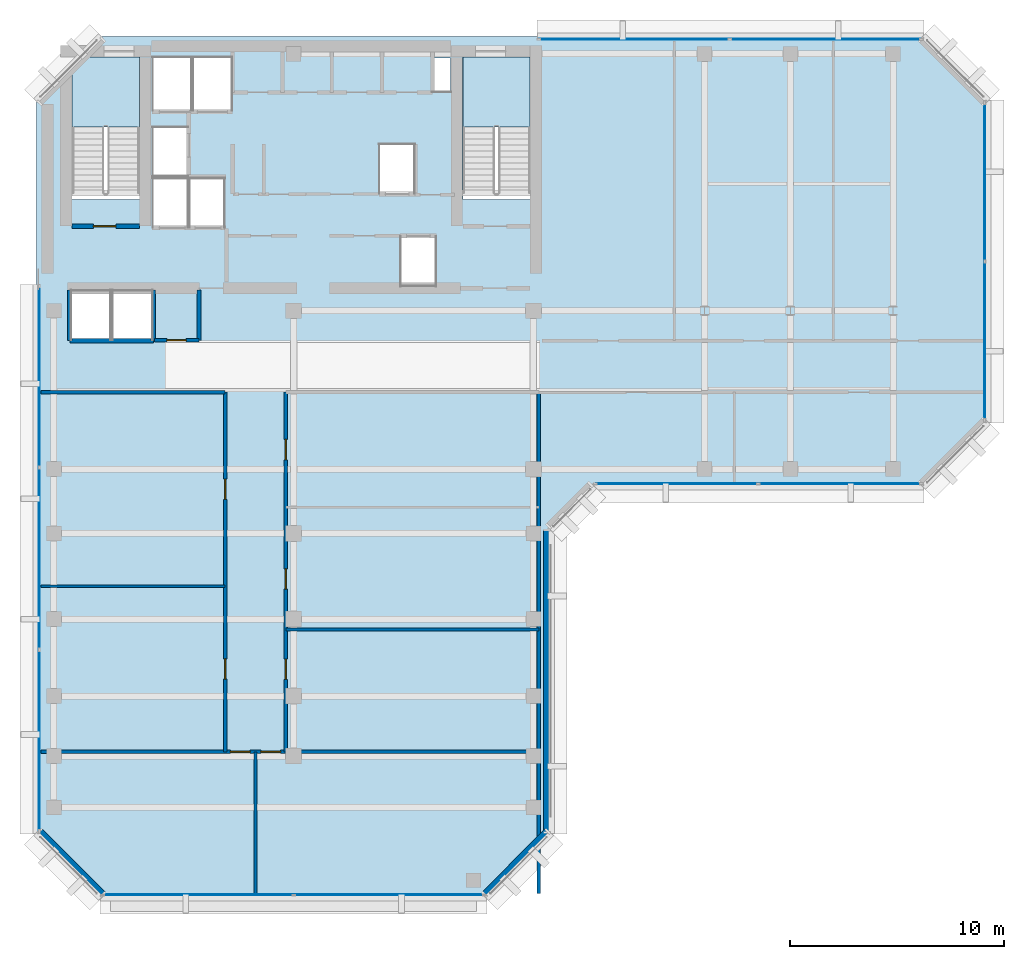
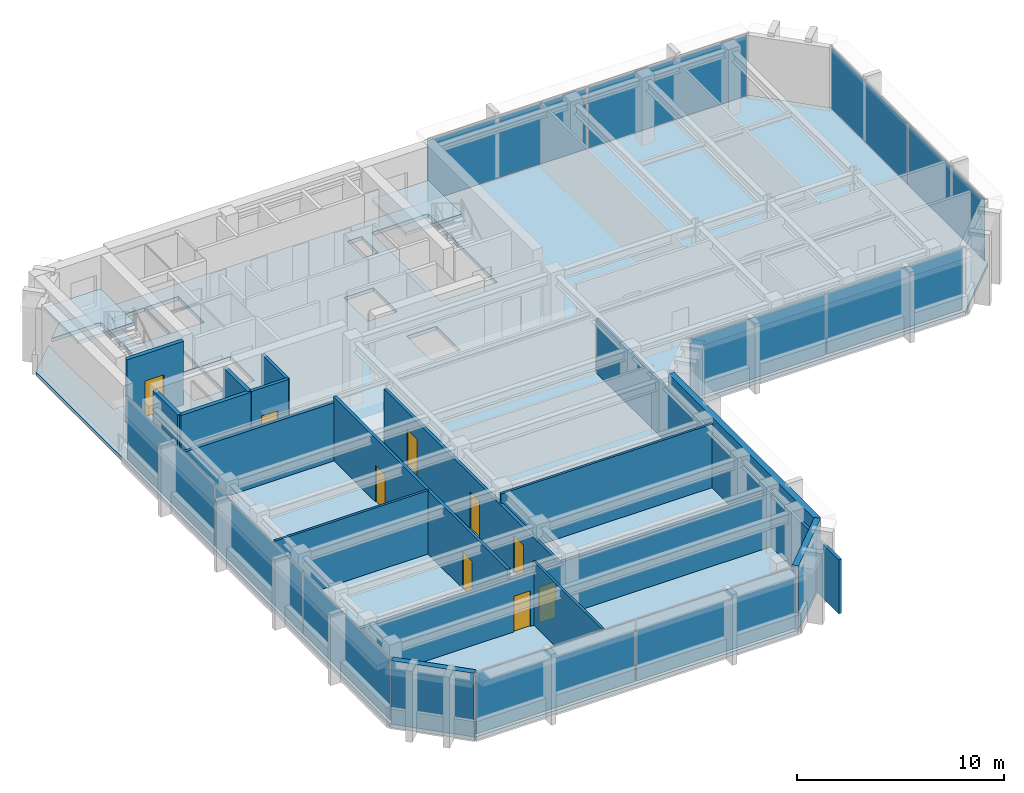
# One storey, part 6 of 11: 17 walls, 11 plates, 9 doors, 3 slabs, 9 openings, 7 elements without a shape of their own.
"""IFC4 building model written with IfcOpenShell, lengths in metres."""

import ifcopenshell
import ifcopenshell.guid

model = None  # the IFC model being written
_history = None  # IfcOwnerHistory: only IFC2X3 demands one
_inside = {}  # id of a spatial element -> (the spatial element, [elements in it])
_under = {}  # id of a project, library or spatial element -> (it, [spatial elements below it])
_declared = {}  # id of a project -> (the project, [libraries it declares])
_typed = {}  # id of a type object -> (the type object, [elements of that type])
_made_of = {}  # id of a material, layer set ... -> (it, [elements and type objects made of it])


def new_model(schema):
    """Start an empty IFC model of exactly this schema.

    Asked for "IFC4X3", IfcOpenShell would pick the latest addendum, in which some entities
    have other attributes; the version numbers below select the first issue.
    IFC2X3 requires an IfcOwnerHistory on every rooted entity: one is made here for all.
    """
    global model, _history
    if schema == "IFC4X3":
        model = ifcopenshell.file(schema_version=(4, 3, 0, 0))
    else:
        model = ifcopenshell.file(schema=schema)
    _inside.clear()
    _under.clear()
    _declared.clear()
    _typed.clear()
    _made_of.clear()
    _history = None
    if model.schema == "IFC2X3":
        org = make("IfcOrganization", Name="unknown")
        user = make(
            "IfcPersonAndOrganization",
            ThePerson=make("IfcPerson", FamilyName="unknown"),
            TheOrganization=org,
        )
        app = make(
            "IfcApplication",
            ApplicationDeveloper=org,
            Version="unknown",
            ApplicationFullName="unknown",
            ApplicationIdentifier="unknown",
        )
        _history = make(
            "IfcOwnerHistory",
            OwningUser=user,
            OwningApplication=app,
            ChangeAction="ADDED",
            CreationDate=0,
        )
    return model


def make(cls, **values):
    """One entity of the class cls with the attributes given. An attribute that is None is left unset."""
    return model.create_entity(
        cls, **{name: value for name, value in values.items() if value is not None}
    )


def rooted(cls, **values):
    """An entity with a GlobalId (a new one), such as an element, a storey or a relation."""
    return make(cls, GlobalId=ifcopenshell.guid.new(), OwnerHistory=_history, **values)


def si_unit(unit_type, name, prefix=None):
    """IfcSIUnit, for example si_unit("LENGTHUNIT", "METRE", prefix="MILLI")."""
    return make("IfcSIUnit", UnitType=unit_type, Prefix=prefix, Name=name)


def assignment(units):
    """IfcUnitAssignment: the units of a project."""
    return None if units is None else make("IfcUnitAssignment", Units=units)


def point(xyz):
    """IfcCartesianPoint."""
    return None if xyz is None else make("IfcCartesianPoint", Coordinates=xyz)


def direction(xyz):
    """IfcDirection."""
    return None if xyz is None else make("IfcDirection", DirectionRatios=xyz)


def frame(location, z_axis=None, x_axis=None):
    """IfcAxis2Placement3D, a coordinate frame: its origin and axes. An axis left out is left unset."""
    return make(
        "IfcAxis2Placement3D",
        Location=point(location),
        Axis=direction(z_axis),
        RefDirection=direction(x_axis),
    )


def frame_2d(location, x_axis=None):
    """IfcAxis2Placement2D, a coordinate frame in the plane: its origin and x axis."""
    return make(
        "IfcAxis2Placement2D", Location=point(location), RefDirection=direction(x_axis)
    )


def origin():
    """The frame at (0, 0, 0) with its axes left unset."""
    return frame((0.0, 0.0, 0.0))


def origin_2d():
    """The frame at (0, 0) in the plane with its x axis left unset."""
    return frame_2d((0.0, 0.0))


def place(relative_to, where):
    """IfcLocalPlacement: puts the frame where relative to a parent placement (None: the world)."""
    return make(
        "IfcLocalPlacement", PlacementRelTo=relative_to, RelativePlacement=where
    )


def context(
    kind, dimensions, precision=None, world=None, true_north=None, identifier=None
):
    """IfcGeometricRepresentationContext, for example the 3D "Model" context."""
    return make(
        "IfcGeometricRepresentationContext",
        ContextIdentifier=identifier,
        ContextType=kind,
        CoordinateSpaceDimension=dimensions,
        Precision=precision,
        WorldCoordinateSystem=world,
        TrueNorth=true_north,
    )


def subcontext(parent, identifier, kind, view, scale=None):
    """IfcGeometricRepresentationSubContext, for example "Body" below "Model"."""
    return make(
        "IfcGeometricRepresentationSubContext",
        ContextIdentifier=identifier,
        ContextType=kind,
        ParentContext=parent,
        TargetScale=scale,
        TargetView=view,
    )


def project(units=None, contexts=None):
    """IfcProject with its units and contexts."""
    return rooted(
        "IfcProject",
        Name="project",
        RepresentationContexts=contexts,
        UnitsInContext=assignment(units),
    )


def spatial(cls, under=None, at=None, **own):
    """A site, building, storey or space (cls), placed at a placement, below another one or the project."""
    s = rooted(cls, ObjectPlacement=at, **own)
    if under is not None:
        _under.setdefault(under.id(), (under, []))[1].append(s)
    return s


def polyline(points):
    """IfcPolyline through the points."""
    return make("IfcPolyline", Points=[point(p) for p in points])


def profile(cls, at=None, kind="AREA", **sizes):
    """A parametric profile (cls). Its sizes go by their IFC names, for example OverallWidth=200.0."""
    return make(cls, ProfileType=kind, Position=at, **sizes)


def rectangle(**sizes):
    """IfcRectangleProfileDef."""
    return profile("IfcRectangleProfileDef", **sizes)


def outline(outer, holes=None, kind="AREA"):
    """IfcArbitraryClosedProfileDef: a profile drawn as a closed curve; with holes, ...WithVoids."""
    if holes is None:
        return make("IfcArbitraryClosedProfileDef", ProfileType=kind, OuterCurve=outer)
    return make(
        "IfcArbitraryProfileDefWithVoids",
        ProfileType=kind,
        OuterCurve=outer,
        InnerCurves=holes,
    )


def extrude(swept, where, along, depth):
    """IfcExtrudedAreaSolid: the profile swept, set in the frame where, extruded along a direction by depth."""
    return make(
        "IfcExtrudedAreaSolid",
        SweptArea=swept,
        Position=where,
        ExtrudedDirection=direction(along),
        Depth=depth,
    )


def shape(context_of_items, identifier, shape_type, items):
    """IfcShapeRepresentation: the items that make up one representation, for example the "Body"."""
    return make(
        "IfcShapeRepresentation",
        ContextOfItems=context_of_items,
        RepresentationIdentifier=identifier,
        RepresentationType=shape_type,
        Items=items,
    )


def material(Name=None, Category=None):
    """IfcMaterial."""
    return make("IfcMaterial", Name=Name, Category=Category)


def layer(
    of_material, thickness, ventilated=None, Name=None, Category=None, Priority=None
):
    """IfcMaterialLayer: one layer of a wall or slab, of a material (None: an air gap)."""
    return make(
        "IfcMaterialLayer",
        Material=of_material,
        LayerThickness=thickness,
        IsVentilated=ventilated,
        Name=Name,
        Category=Category,
        Priority=Priority,
    )


def layer_set(layers, Name=None):
    """IfcMaterialLayerSet."""
    return make("IfcMaterialLayerSet", MaterialLayers=layers, LayerSetName=Name)


def made_of(thing, what):
    """Note that an element or type object is made of a material, layer set ...; save() writes the relation."""
    if what is not None:
        _made_of.setdefault(what.id(), (what, []))[1].append(thing)
    return thing


def type_object(cls, material=None, **own):
    """A type object (cls), such as IfcWallType, which elements share."""
    return made_of(rooted(cls, **own), material)


def element(
    cls,
    number,
    at=None,
    inside=None,
    cuts=None,
    type_object=None,
    material=None,
    context=None,
    identifier="Body",
    shape_type=None,
    held_by="IfcProductDefinitionShape",
    body=None,
    shapes=None,
    **own,
):
    """One element of the class cls, such as IfcWall. Its Tag is "e" and its number.

    at: its placement. inside: the storey or other place that contains it. cuts: it is an
    opening in that element (IfcRelVoidsElement). A single representation is given by context,
    identifier, shape_type and body (its items); several are given by shapes. held_by: the class
    of the entity that holds the representations. save() writes the other relations.
    """
    e = rooted(cls, Tag="e%d" % number, ObjectPlacement=at, **own)
    if body is not None:
        shapes = [shape(context, identifier, shape_type, body)]
    if shapes is not None:
        e.Representation = make(held_by, Representations=shapes)
    if inside is not None:
        _inside.setdefault(inside.id(), (inside, []))[1].append(e)
    if cuts is not None:
        rooted(
            "IfcRelVoidsElement", RelatingBuildingElement=cuts, RelatedOpeningElement=e
        )
    if type_object is not None:
        _typed.setdefault(type_object.id(), (type_object, []))[1].append(e)
    return made_of(e, material)


def fill(opening, filler):
    """IfcRelFillsElement: the door or window that sits in an opening."""
    return rooted(
        "IfcRelFillsElement",
        RelatingOpeningElement=opening,
        RelatedBuildingElement=filler,
    )


def aggregate(whole, parts):
    """IfcRelAggregates: a whole, such as a stair, and the parts it consists of."""
    return rooted("IfcRelAggregates", RelatingObject=whole, RelatedObjects=parts)


def save(model, path):
    """Write the relations noted so far, then the file.

    IfcRelAggregates (storeys below a building ...), IfcRelContainedInSpatialStructure (elements
    in a storey), IfcRelDefinesByType, IfcRelAssociatesMaterial and IfcRelDeclares: one each for
    every whole, place, type object, material and project.
    """
    for whole, parts in _under.values():
        aggregate(whole, parts)
    for where, things in _inside.values():
        rooted(
            "IfcRelContainedInSpatialStructure",
            RelatedElements=things,
            RelatingStructure=where,
        )
    for kind, things in _typed.values():
        rooted("IfcRelDefinesByType", RelatedObjects=things, RelatingType=kind)
    for what, things in _made_of.values():
        rooted("IfcRelAssociatesMaterial", RelatedObjects=things, RelatingMaterial=what)
    for by, libraries in _declared.values():
        rooted("IfcRelDeclares", RelatingContext=by, RelatedDefinitions=libraries)
    model.write(path)


model = new_model("IFC4")

# Units and contexts
model_context = context("Model", 3, precision=1e-05, world=origin(), true_north=direction((0.0, 1.0)))
body_context = subcontext(model_context, "Body", "Model", "MODEL_VIEW")
ifc_project = project(units=[si_unit("LENGTHUNIT", "METRE"), si_unit("AREAUNIT", "SQUARE_METRE"), si_unit("VOLUMEUNIT", "CUBIC_METRE"), si_unit("PLANEANGLEUNIT", "RADIAN"), si_unit("MASSUNIT", "GRAM", prefix="KILO")], contexts=[model_context])

# Site, building, storey
site_placement = place(None, origin())
site = spatial("IfcSite", under=ifc_project, at=site_placement, CompositionType="ELEMENT")
building_placement = place(site_placement, origin())
building = spatial("IfcBuilding", under=site, at=building_placement, Name="Kefirva Bronze Tower", CompositionType="ELEMENT")
storey_placement = place(building_placement, frame((0.0, 0.0, 303.929931640625)))
storey = spatial("IfcBuildingStorey", under=building, at=storey_placement, Name="L74", CompositionType="ELEMENT", Elevation=303.929931640625)

# Stair, slab
ifc_material_1 = material(Name="Concrete C40/50", Category="concrete")
stair_type = type_object("IfcStairType", Name="RC Dogleg Protected Stair 24R", PredefinedType="HALF_TURN_STAIR", material=ifc_material_1)
stair_1_placement = place(storey_placement, origin())
stair_1 = element("IfcStair", 1, at=stair_1_placement, inside=storey, type_object=stair_type, Name="L74 Protected Exit Stair 1", PredefinedType="HALF_TURN_STAIR")
ifc_layer_1 = layer(ifc_material_1, 0.199951171875, Name="Concrete C40/50")
ifc_layer_set_1 = layer_set([ifc_layer_1], Name="Concrete C40/50")
slab_type_1 = type_object("IfcSlabType", Name="RC Stair Landing Slab 200mm", PredefinedType="LANDING", material=ifc_layer_set_1)
slab_1_placement = place(storey_placement, frame((0.0, 0.0, 1.780029296875)))
slab_1 = element("IfcSlab", 2, at=slab_1_placement, type_object=slab_type_1, Name="ST-1 landing 1", PredefinedType="LANDING", context=body_context, shape_type="SweptSolid", body=[
    extrude(outline(polyline([(4.800048828125, 41.780029296875), (4.800048828125, 45.050048828125), (1.64990234375, 45.050048828125), (1.64990234375, 41.780029296875), (4.800048828125, 41.780029296875)])), origin(), (0.0, 0.0, 1.0), 0.199951171875),
])
aggregate(stair_1, [slab_1])

stair_2_placement = place(storey_placement, origin())
stair_2 = element("IfcStair", 3, at=stair_2_placement, inside=storey, type_object=stair_type, Name="L74 Protected Exit Stair 2", PredefinedType="HALF_TURN_STAIR")
slab_2_placement = place(storey_placement, frame((0.0, 0.0, 1.780029296875)))
slab_2 = element("IfcSlab", 4, at=slab_2_placement, type_object=slab_type_1, Name="ST-2 landing 1", PredefinedType="LANDING", context=body_context, shape_type="SweptSolid", body=[
    extrude(outline(polyline([(23.050048828125, 41.780029296875), (23.050048828125, 45.050048828125), (19.89990234375, 45.050048828125), (19.89990234375, 41.780029296875), (23.050048828125, 41.780029296875)])), origin(), (0.0, 0.0, 1.0), 0.199951171875),
])
aggregate(stair_2, [slab_2])

# Slab
ifc_layer_2 = layer(ifc_material_1, 0.219970703125, Name="Concrete C40/50")
ifc_layer_set_2 = layer_set([ifc_layer_2], Name="Concrete C40/50")
slab_type_2 = type_object("IfcSlabType", Name="RC Upper Floor Slab 220mm", PredefinedType="FLOOR", material=ifc_layer_set_2)
slab_3_placement = place(storey_placement, frame((0.0, 0.0, -0.219970703125)))
element("IfcSlab", 5, at=slab_3_placement, inside=storey, type_object=slab_type_2, Name="L74 Structural Floor Slab", PredefinedType="FLOOR", context=body_context, shape_type="SweptSolid", body=[
    extrude(outline(polyline([(0.0, 8.800048828125), (0.0, 43.0), (1.64990234375, 44.64990234375), (1.64990234375, 38.39990234375), (4.800048828125, 38.39990234375), (4.800048828125, 45.050048828125), (2.050048828125, 45.050048828125), (3.0, 46.0), (41.39990234375, 46.0), (44.39990234375, 43.0), (44.39990234375, 28.0), (41.39990234375, 25.0), (26.0, 25.0), (24.0, 23.0), (24.0, 8.800048828125), (21.0, 5.800048828125), (3.0, 5.800048828125), (0.0, 8.800048828125)]), holes=[polyline([(23.050048828125, 45.050048828125), (19.89990234375, 45.050048828125), (19.89990234375, 38.39990234375), (23.050048828125, 38.39990234375), (23.050048828125, 45.050048828125)]), polyline([(19.320068359375, 43.419921875), (19.320068359375, 45.0), (18.52001953125, 45.0), (18.52001953125, 43.419921875), (19.320068359375, 43.419921875)]), polyline([(18.64990234375, 36.64990234375), (17.0, 36.64990234375), (17.0, 34.35009765625), (18.64990234375, 34.35009765625), (18.64990234375, 36.64990234375)]), polyline([(17.64990234375, 38.679931640625), (17.64990234375, 40.97998046875), (16.0, 40.97998046875), (16.0, 38.679931640625), (17.64990234375, 38.679931640625)]), polyline([(9.1201171875, 42.550048828125), (9.1201171875, 45.050048828125), (7.300048828125, 45.050048828125), (7.300048828125, 42.550048828125), (9.1201171875, 42.550048828125)]), polyline([(8.780029296875, 37.10009765625), (8.780029296875, 39.39990234375), (7.139892578125, 39.39990234375), (7.139892578125, 37.10009765625), (8.780029296875, 37.10009765625)]), polyline([(7.239990234375, 42.550048828125), (7.239990234375, 45.050048828125), (5.419921875, 45.050048828125), (5.419921875, 42.550048828125), (7.239990234375, 42.550048828125)]), polyline([(7.06005859375, 37.10009765625), (7.06005859375, 39.39990234375), (5.419921875, 39.39990234375), (5.419921875, 37.10009765625), (7.06005859375, 37.10009765625)]), polyline([(7.06005859375, 41.780029296875), (5.419921875, 41.780029296875), (5.419921875, 39.47998046875), (7.06005859375, 39.47998046875), (7.06005859375, 41.780029296875)]), polyline([(5.39990234375, 31.85009765625), (5.39990234375, 34.14990234375), (3.550048828125, 34.14990234375), (3.550048828125, 31.85009765625), (5.39990234375, 31.85009765625)]), polyline([(3.449951171875, 34.14990234375), (1.60009765625, 34.14990234375), (1.60009765625, 31.85009765625), (3.449951171875, 31.85009765625), (3.449951171875, 34.14990234375)])]), origin(), (0.0, 0.0, 1.0), 0.219970703125),
])

# Curtain wall, plates
ifc_material_2 = material(Name="Bronze anodised aluminium", Category="aluminium")
ifc_layer_3 = layer(ifc_material_2, 0.179931640625, Name="Bronze anodised aluminium")
ifc_layer_set_3 = layer_set([ifc_layer_3], Name="Bronze anodised aluminium")
curtain_wall_type = type_object("IfcCurtainWallType", Name="Unitised Bronze Ribbon Curtain Wall Zone 4", PredefinedType="USERDEFINED", material=ifc_layer_set_3)
curtain_wall_1_placement = place(storey_placement, origin())
curtain_wall_1 = element("IfcCurtainWall", 6, at=curtain_wall_1_placement, inside=storey, type_object=curtain_wall_type, Name="L74 Curtain Wall 1", ObjectType="UNITISED CURTAIN WALL", PredefinedType="USERDEFINED")
ifc_material_3 = material(Name="Laminated low-E double glazing", Category="glass")
ifc_layer_4 = layer(ifc_material_3, 0.031982421875, Name="Laminated low-E double glazing")
ifc_layer_set_4 = layer_set([ifc_layer_4], Name="Laminated low-E double glazing")
plate_type = type_object("IfcPlateType", Name="Solar-Control Low-E Vision Panel 32mm", PredefinedType="CURTAIN_PANEL", material=ifc_layer_set_4)
plate_1_placement = place(storey_placement, frame((7.546142578125, 5.919921875, 0.0751953125), z_axis=(0.0, 0.0, 1.0), x_axis=(1.0, 0.0, 0.0)))
plate_1 = element("IfcPlate", 7, at=plate_1_placement, type_object=plate_type, Name="CW-04 panel 1.1", PredefinedType="CURTAIN_PANEL", context=body_context, shape_type="SweptSolid", body=[
    extrude(rectangle(XDim=8.83251953125, YDim=0.031982421875, at=origin_2d()), origin(), (0.0, 0.0, 1.0), 3.590087890625),
])
plate_2_placement = place(storey_placement, frame((16.453857421875, 5.919921875, 0.0751953125), z_axis=(0.0, 0.0, 1.0), x_axis=(1.0, 0.0, 0.0)))
plate_2 = element("IfcPlate", 8, at=plate_2_placement, type_object=plate_type, Name="CW-04 panel 2.1", PredefinedType="CURTAIN_PANEL", context=body_context, shape_type="SweptSolid", body=[
    extrude(rectangle(XDim=8.83251953125, YDim=0.031982421875, at=origin_2d()), origin(), (0.0, 0.0, 1.0), 3.590087890625),
])
aggregate(curtain_wall_1, [plate_1, plate_2])

curtain_wall_2_placement = place(storey_placement, origin())
curtain_wall_2 = element("IfcCurtainWall", 9, at=curtain_wall_2_placement, inside=storey, type_object=curtain_wall_type, Name="L74 Curtain Wall 2", ObjectType="UNITISED CURTAIN WALL", PredefinedType="USERDEFINED")
plate_3_placement = place(storey_placement, frame((29.896240234375, 25.1201171875, 0.0751953125), z_axis=(0.0, 0.0, 1.0), x_axis=(1.0, 0.0, 0.0)))
plate_3 = element("IfcPlate", 10, at=plate_3_placement, type_object=plate_type, Name="CW-04 panel 1.1", PredefinedType="CURTAIN_PANEL", context=body_context, shape_type="SweptSolid", body=[
    extrude(rectangle(XDim=7.532470703125, YDim=0.031982421875, at=origin_2d()), origin(), (0.0, 0.0, 1.0), 3.590087890625),
])
plate_4_placement = place(storey_placement, frame((37.503662109375, 25.1201171875, 0.0751953125), z_axis=(0.0, 0.0, 1.0), x_axis=(1.0, 0.0, 0.0)))
plate_4 = element("IfcPlate", 11, at=plate_4_placement, type_object=plate_type, Name="CW-04 panel 2.1", PredefinedType="CURTAIN_PANEL", context=body_context, shape_type="SweptSolid", body=[
    extrude(rectangle(XDim=7.532470703125, YDim=0.031982421875, at=origin_2d()), origin(), (0.0, 0.0, 1.0), 3.590087890625),
])
aggregate(curtain_wall_2, [plate_3, plate_4])

curtain_wall_3_placement = place(storey_placement, origin())
curtain_wall_3 = element("IfcCurtainWall", 12, at=curtain_wall_3_placement, inside=storey, type_object=curtain_wall_type, Name="L74 Curtain Wall 3", ObjectType="UNITISED CURTAIN WALL", PredefinedType="USERDEFINED")
plate_5_placement = place(storey_placement, frame((44.280029296875, 31.796142578125, 0.0751953125), z_axis=(0.0, 0.0, 1.0), x_axis=(0.0, 1.0, 0.0)))
plate_5 = element("IfcPlate", 13, at=plate_5_placement, type_object=plate_type, Name="CW-04 panel 1.1", PredefinedType="CURTAIN_PANEL", context=body_context, shape_type="SweptSolid", body=[
    extrude(rectangle(XDim=7.33251953125, YDim=0.031982421875, at=origin_2d()), origin(), (0.0, 0.0, 1.0), 3.590087890625),
])
plate_6_placement = place(storey_placement, frame((44.280029296875, 39.203857421875, 0.0751953125), z_axis=(0.0, 0.0, 1.0), x_axis=(0.0, 1.0, 0.0)))
plate_6 = element("IfcPlate", 14, at=plate_6_placement, type_object=plate_type, Name="CW-04 panel 2.1", PredefinedType="CURTAIN_PANEL", context=body_context, shape_type="SweptSolid", body=[
    extrude(rectangle(XDim=7.33251953125, YDim=0.031982421875, at=origin_2d()), origin(), (0.0, 0.0, 1.0), 3.590087890625),
])
aggregate(curtain_wall_3, [plate_5, plate_6])

curtain_wall_4_placement = place(storey_placement, origin())
curtain_wall_4 = element("IfcCurtainWall", 15, at=curtain_wall_4_placement, inside=storey, type_object=curtain_wall_type, Name="L74 Curtain Wall 4", ObjectType="UNITISED CURTAIN WALL", PredefinedType="USERDEFINED")
plate_7_placement = place(storey_placement, frame((36.84130859375, 45.8798828125, 0.0751953125), z_axis=(0.0, 0.0, 1.0), x_axis=(-1.0, 0.0, 0.0)))
plate_7 = element("IfcPlate", 16, at=plate_7_placement, type_object=plate_type, Name="CW-04 panel 1.1", PredefinedType="CURTAIN_PANEL", context=body_context, shape_type="SweptSolid", body=[
    extrude(rectangle(XDim=8.857421875, YDim=0.031982421875, at=origin_2d()), origin(), (0.0, 0.0, 1.0), 3.590087890625),
])
plate_8_placement = place(storey_placement, frame((27.90869140625, 45.8798828125, 0.0751953125), z_axis=(0.0, 0.0, 1.0), x_axis=(-1.0, 0.0, 0.0)))
plate_8 = element("IfcPlate", 17, at=plate_8_placement, type_object=plate_type, Name="CW-04 panel 2.1", PredefinedType="CURTAIN_PANEL", context=body_context, shape_type="SweptSolid", body=[
    extrude(rectangle(XDim=8.857421875, YDim=0.031982421875, at=origin_2d()), origin(), (0.0, 0.0, 1.0), 3.590087890625),
])
aggregate(curtain_wall_4, [plate_7, plate_8])

curtain_wall_5_placement = place(storey_placement, origin())
curtain_wall_5 = element("IfcCurtainWall", 18, at=curtain_wall_5_placement, inside=storey, type_object=curtain_wall_type, Name="L74 Curtain Wall 5", ObjectType="UNITISED CURTAIN WALL", PredefinedType="USERDEFINED")
plate_9_placement = place(storey_placement, frame((0.1201171875, 30.11962890625, 0.0751953125), z_axis=(0.0, 0.0, 1.0), x_axis=(0.0, -1.0, 0.0)))
plate_9 = element("IfcPlate", 19, at=plate_9_placement, type_object=plate_type, Name="CW-04 panel 1.1", PredefinedType="CURTAIN_PANEL", context=body_context, shape_type="SweptSolid", body=[
    extrude(rectangle(XDim=8.40087890625, YDim=0.031982421875, at=origin_2d()), origin(), (0.0, 0.0, 1.0), 3.590087890625),
])
plate_10_placement = place(storey_placement, frame((0.1201171875, 21.625, 0.0751953125), z_axis=(0.0, 0.0, 1.0), x_axis=(0.0, -1.0, 0.0)))
plate_10 = element("IfcPlate", 20, at=plate_10_placement, type_object=plate_type, Name="CW-04 panel 2.1", PredefinedType="CURTAIN_PANEL", context=body_context, shape_type="SweptSolid", body=[
    extrude(rectangle(XDim=8.438232421875, YDim=0.031982421875, at=origin_2d()), origin(), (0.0, 0.0, 1.0), 3.590087890625),
])
plate_11_placement = place(storey_placement, frame((0.1201171875, 13.13037109375, 0.0751953125), z_axis=(0.0, 0.0, 1.0), x_axis=(0.0, -1.0, 0.0)))
plate_11 = element("IfcPlate", 21, at=plate_11_placement, type_object=plate_type, Name="CW-04 panel 3.1", PredefinedType="CURTAIN_PANEL", context=body_context, shape_type="SweptSolid", body=[
    extrude(rectangle(XDim=8.40087890625, YDim=0.031982421875, at=origin_2d()), origin(), (0.0, 0.0, 1.0), 3.590087890625),
])
aggregate(curtain_wall_5, [plate_9, plate_10, plate_11])

# Walls
ifc_material_4 = material(Name="Gypsum acoustic partition")
ifc_layer_5 = layer(ifc_material_4, 0.1298828125, Name="Gypsum acoustic partition")
ifc_layer_set_5 = layer_set([ifc_layer_5], Name="Gypsum acoustic partition")
wall_type_1 = type_object("IfcWallType", Name="Acoustic Office Partition 130mm", PredefinedType="PARTITIONING", material=ifc_layer_set_5)
wall_1_placement = place(storey_placement, frame((10.219970703125, 5.989990234375, 0.0), z_axis=(0.0, 0.0, 1.0), x_axis=(0.0, 1.0, 0.0)))
element("IfcWall", 22, at=wall_1_placement, inside=storey, type_object=wall_type_1, Name="L74 Partition W-L74-CAPDV", PredefinedType="PARTITIONING", context=body_context, shape_type="SweptSolid", body=[
    extrude(rectangle(XDim=6.610107421875, YDim=0.1298828125, at=frame_2d((3.30517578125, 0.0))), origin(), (0.0, 0.0, 1.0), 3.739990234375),
])
wall_2_placement = place(storey_placement, frame((0.18994140625, 20.327880859375, 0.0), z_axis=(0.0, 0.0, 1.0), x_axis=(1.0, 0.0, 0.0)))
element("IfcWall", 23, at=wall_2_placement, inside=storey, type_object=wall_type_1, Name="L74 Partition W-L74-SWD1", PredefinedType="PARTITIONING", context=body_context, shape_type="SweptSolid", body=[
    extrude(rectangle(XDim=8.610107421875, YDim=0.1298828125, at=frame_2d((4.30517578125, 0.0))), origin(), (0.0, 0.0, 1.0), 3.739990234375),
])
wall_3_placement = place(storey_placement, frame((11.639892578125, 18.31201171875, 0.0), z_axis=(0.0, 0.0, 1.0), x_axis=(1.0, 0.0, 0.0)))
element("IfcWall", 24, at=wall_3_placement, inside=storey, type_object=wall_type_1, Name="L74 Partition W-L74-SED1", PredefinedType="PARTITIONING", context=body_context, shape_type="SweptSolid", body=[
    extrude(rectangle(XDim=11.81005859375, YDim=0.1298828125, at=frame_2d((5.905029296875, 0.0))), origin(), (0.0, 0.0, 1.0), 3.739990234375),
])

# Wall, opening, door
ifc_material_5 = material(Name="Gypsum fireboard shaftwall")
ifc_layer_6 = layer(ifc_material_5, 0.219970703125, Name="Gypsum fireboard shaftwall")
ifc_layer_set_6 = layer_set([ifc_layer_6], Name="Gypsum fireboard shaftwall")
wall_type_2 = type_object("IfcWallType", Name="Fire-Rated Shaft Enclosure Wall 220mm", PredefinedType="PARTITIONING", material=ifc_layer_set_6)
wall_4_placement = place(storey_placement, frame((1.64990234375, 37.14990234375, 0.0), z_axis=(0.0, 0.0, 1.0), x_axis=(1.0, 0.0, 0.0)))
wall_4 = element("IfcWall", 25, at=wall_4_placement, inside=storey, type_object=wall_type_2, Name="L74 Partition W-L74-ST1S", PredefinedType="PARTITIONING", context=body_context, shape_type="SweptSolid", body=[
    extrude(rectangle(XDim=3.150146484375, YDim=0.219970703125, at=frame_2d((1.5751953125, 0.0))), origin(), (0.0, 0.0, 1.0), 3.739990234375),
])
opening_1_placement = place(wall_4_placement, frame((2.050048828125, 0.0, 0.0), z_axis=(0.0, 0.0, 1.0), x_axis=(-1.0, 0.0, 0.0)))
opening_1 = element("IfcOpeningElement", 26, at=opening_1_placement, cuts=wall_4, Name="Opening L74-D001", PredefinedType="OPENING", context=body_context, shape_type="SweptSolid", body=[
    extrude(rectangle(XDim=1.050048828125, YDim=2.14990234375, at=frame_2d((0.52490234375, 1.074951171875))), frame((0.0, 0.1201171875, 0.0), z_axis=(0.0, -1.0, 0.0), x_axis=(1.0, 0.0, 0.0)), (0.0, 0.0, 1.0), 0.239990234375),
])
ifc_material_6 = material(Name="Painted galvanized steel", Category="steel")
door_type_1 = type_object("IfcDoorType", Name="Fire Stair Enclosure Door 1050x2150 FD90S", OperationType="NOTDEFINED", PredefinedType="DOOR", material=ifc_material_6)
door_1_placement = place(opening_1_placement, origin())
door_1 = element("IfcDoor", 27, at=door_1_placement, inside=storey, type_object=door_type_1, Name="Door L74-D001", OperationType="SINGLE_SWING_RIGHT", OverallHeight=2.14990234375, OverallWidth=1.050048828125, PredefinedType="DOOR", context=body_context, shape_type="SweptSolid", body=[
    extrude(rectangle(XDim=1.050048828125, YDim=2.14990234375, at=frame_2d((0.52490234375, 1.074951171875))), frame((0.0, 0.02490234375, 0.0), z_axis=(0.0, -1.0, 0.0), x_axis=(1.0, 0.0, 0.0)), (0.0, 0.0, 1.0), 0.050048828125),
])
fill(opening_1, door_1)

# Walls
wall_5_placement = place(storey_placement, frame((1.550048828125, 31.800048828125, 0.0), z_axis=(0.0, 0.0, 1.0), x_axis=(1.0, 0.0, 0.0)))
element("IfcWall", 28, at=wall_5_placement, inside=storey, type_object=wall_type_2, Name="L74 Partition W-L74-OBS", PredefinedType="PARTITIONING", context=body_context, shape_type="SweptSolid", body=[
    extrude(rectangle(XDim=3.89990234375, YDim=0.219970703125, at=frame_2d((1.949951171875, 0.0))), origin(), (0.0, 0.0, 1.0), 3.739990234375),
])
for number, where, z_axis, x_axis, name in (
    (29, (1.550048828125, 31.800048828125, 0.0), (0.0, 0.0, 1.0), (0.0, 1.0, 0.0), "L74 Partition W-L74-OBW"),
    (30, (5.449951171875, 31.800048828125, 0.0), (0.0, 0.0, 1.0), (0.0, 1.0, 0.0), "L74 Partition W-L74-OBE"),
):
    element("IfcWall", number, at=place(storey_placement, frame(where, z_axis=z_axis, x_axis=x_axis)), inside=storey, type_object=wall_type_2, Name=name, PredefinedType="PARTITIONING", context=body_context, shape_type="SweptSolid", body=[
        extrude(rectangle(XDim=2.3798828125, YDim=0.219970703125, at=frame_2d((1.18994140625, 0.0))), origin(), (0.0, 0.0, 1.0), 3.739990234375),
    ])
ifc_material_7 = material(Name="Precast concrete C40/50", Category="concrete")
ifc_layer_7 = layer(ifc_material_7, 0.320068359375, Name="Precast concrete C40/50")
ifc_layer_set_7 = layer_set([ifc_layer_7], Name="Precast concrete C40/50")
wall_type_3 = type_object("IfcWallType", Name="Precast Insulated Exterior Wall 320mm", PredefinedType="SOLIDWALL", material=ifc_layer_set_7)
wall_6_placement = place(storey_placement, frame((20.92578125, 5.951904296875, 0.0), z_axis=(0.0, 0.0, 1.0), x_axis=(0.707077242712, 0.707136318428, 0.0)))
element("IfcWall", 31, at=wall_6_placement, inside=storey, type_object=wall_type_3, Name="L74 Exterior Facade Wall 1", PredefinedType="SOLIDWALL", context=body_context, shape_type="SweptSolid", body=[
    extrude(rectangle(XDim=4.132568359375, YDim=0.320068359375, at=frame_2d((2.06640625, 0.0))), origin(), (0.0, 0.0, 1.0), 3.739990234375),
])
wall_7_placement = place(storey_placement, frame((23.840087890625, 8.85498046875, 0.0), z_axis=(0.0, 0.0, 1.0), x_axis=(0.0, 1.0, 0.0)))
element("IfcWall", 32, at=wall_7_placement, inside=storey, type_object=wall_type_3, Name="L74 Exterior Facade Wall 2", PredefinedType="SOLIDWALL", context=body_context, shape_type="SweptSolid", body=[
    extrude(rectangle(XDim=14.090087890625, YDim=0.320068359375, at=frame_2d((7.044921875, 0.0))), origin(), (0.0, 0.0, 1.0), 3.739990234375),
])
wall_8_placement = place(storey_placement, frame((0.152099609375, 8.874267578125, 0.0), z_axis=(0.0, 0.0, 1.0), x_axis=(0.707077242712, -0.707136318428, 0.0)))
element("IfcWall", 33, at=wall_8_placement, inside=storey, type_object=wall_type_3, Name="L74 Exterior Facade Wall 7", PredefinedType="SOLIDWALL", context=body_context, shape_type="SweptSolid", body=[
    extrude(rectangle(XDim=4.132568359375, YDim=0.320068359375, at=frame_2d((2.06640625, 0.0))), origin(), (0.0, 0.0, 1.0), 3.739990234375),
])

# Wall, openings, doors
ifc_layer_8 = layer(ifc_material_4, 0.159912109375, Name="Gypsum acoustic partition")
ifc_layer_set_8 = layer_set([ifc_layer_8], Name="Gypsum acoustic partition")
wall_type_4 = type_object("IfcWallType", Name="Protected Corridor Partition 160mm", PredefinedType="PARTITIONING", material=ifc_layer_set_8)
wall_9_placement = place(storey_placement, frame((8.800048828125, 12.60009765625, 0.0), z_axis=(0.0, 0.0, 1.0), x_axis=(0.0, 1.0, 0.0)))
wall_9 = element("IfcWall", 34, at=wall_9_placement, inside=storey, type_object=wall_type_4, Name="L74 Partition W-L74-SWCORW", PredefinedType="PARTITIONING", context=body_context, shape_type="SweptSolid", body=[
    extrude(rectangle(XDim=16.7998046875, YDim=0.159912109375, at=frame_2d((8.39990234375, 0.0))), origin(), (0.0, 0.0, 1.0), 3.739990234375),
])
opening_2_placement = place(wall_9_placement, frame((4.3388671875, 0.0, 0.0), z_axis=(0.0, 0.0, 1.0), x_axis=(-1.0, 0.0, 0.0)))
opening_2 = element("IfcOpeningElement", 35, at=opening_2_placement, cuts=wall_9, Name="Opening L74-D-SW1", PredefinedType="OPENING", context=body_context, shape_type="SweptSolid", body=[
    extrude(rectangle(XDim=0.949951171875, YDim=2.14990234375, at=frame_2d((0.47509765625, 1.074951171875))), frame((0.0, 0.08984375, 0.0), z_axis=(0.0, -1.0, 0.0), x_axis=(1.0, 0.0, 0.0)), (0.0, 0.0, 1.0), 0.179931640625),
])
opening_3_placement = place(wall_9_placement, frame((12.739013671875, 0.0, 0.0), z_axis=(0.0, 0.0, 1.0), x_axis=(-1.0, 0.0, 0.0)))
opening_3 = element("IfcOpeningElement", 36, at=opening_3_placement, cuts=wall_9, Name="Opening L74-D-SW2", PredefinedType="OPENING", context=body_context, shape_type="SweptSolid", body=[
    extrude(rectangle(XDim=0.949951171875, YDim=2.14990234375, at=frame_2d((0.47509765625, 1.074951171875))), frame((0.0, 0.08984375, 0.0), z_axis=(0.0, -1.0, 0.0), x_axis=(1.0, 0.0, 0.0)), (0.0, 0.0, 1.0), 0.179931640625),
])
ifc_material_8 = material(Name="Acoustic hardwood oak", Category="wood")
door_type_2 = type_object("IfcDoorType", Name="Office & Meeting Room Door 950x2150", OperationType="NOTDEFINED", PredefinedType="DOOR", material=ifc_material_8)
door_2_placement = place(opening_2_placement, origin())
door_2 = element("IfcDoor", 37, at=door_2_placement, inside=storey, type_object=door_type_2, Name="Door L74-D-SW1", OperationType="SINGLE_SWING_LEFT", OverallHeight=2.14990234375, OverallWidth=0.949951171875, PredefinedType="DOOR", context=body_context, shape_type="SweptSolid", body=[
    extrude(rectangle(XDim=0.949951171875, YDim=2.14990234375, at=frame_2d((0.47509765625, 1.074951171875))), frame((0.0, 0.02490234375, 0.0), z_axis=(0.0, -1.0, 0.0), x_axis=(1.0, 0.0, 0.0)), (0.0, 0.0, 1.0), 0.050048828125),
])
fill(opening_2, door_2)
door_3_placement = place(opening_3_placement, origin())
door_3 = element("IfcDoor", 38, at=door_3_placement, inside=storey, type_object=door_type_2, Name="Door L74-D-SW2", OperationType="SINGLE_SWING_RIGHT", OverallHeight=2.14990234375, OverallWidth=0.949951171875, PredefinedType="DOOR", context=body_context, shape_type="SweptSolid", body=[
    extrude(rectangle(XDim=0.949951171875, YDim=2.14990234375, at=frame_2d((0.47509765625, 1.074951171875))), frame((0.0, 0.02490234375, 0.0), z_axis=(0.0, -1.0, 0.0), x_axis=(1.0, 0.0, 0.0)), (0.0, 0.0, 1.0), 0.050048828125),
])
fill(opening_3, door_3)

wall_10_placement = place(storey_placement, frame((11.639892578125, 12.60009765625, 0.0), z_axis=(0.0, 0.0, 1.0), x_axis=(0.0, 1.0, 0.0)))
wall_10 = element("IfcWall", 39, at=wall_10_placement, inside=storey, type_object=wall_type_4, Name="L74 Partition W-L74-SECORE", PredefinedType="PARTITIONING", context=body_context, shape_type="SweptSolid", body=[
    extrude(rectangle(XDim=16.7998046875, YDim=0.159912109375, at=frame_2d((8.39990234375, 0.0))), origin(), (0.0, 0.0, 1.0), 3.175048828125),
])
opening_4_placement = place(wall_10_placement, frame((3.381103515625, 0.0, 0.0)))
opening_4 = element("IfcOpeningElement", 40, at=opening_4_placement, cuts=wall_10, Name="Opening L74-D-SE1", PredefinedType="OPENING", context=body_context, shape_type="SweptSolid", body=[
    extrude(rectangle(XDim=0.949951171875, YDim=2.14990234375, at=frame_2d((0.47509765625, 1.074951171875))), frame((0.0, 0.08984375, 0.0), z_axis=(0.0, -1.0, 0.0), x_axis=(1.0, 0.0, 0.0)), (0.0, 0.0, 1.0), 0.179931640625),
])
opening_5_placement = place(wall_10_placement, frame((7.593017578125, 0.0, 0.0)))
opening_5 = element("IfcOpeningElement", 41, at=opening_5_placement, cuts=wall_10, Name="Opening L74-D-SE2", PredefinedType="OPENING", context=body_context, shape_type="SweptSolid", body=[
    extrude(rectangle(XDim=0.949951171875, YDim=2.14990234375, at=frame_2d((0.47509765625, 1.074951171875))), frame((0.0, 0.08984375, 0.0), z_axis=(0.0, -1.0, 0.0), x_axis=(1.0, 0.0, 0.0)), (0.0, 0.0, 1.0), 0.179931640625),
])
opening_6_placement = place(wall_10_placement, frame((13.636962890625, 0.0, 0.0)))
opening_6 = element("IfcOpeningElement", 42, at=opening_6_placement, cuts=wall_10, Name="Opening L74-D-SE3", PredefinedType="OPENING", context=body_context, shape_type="SweptSolid", body=[
    extrude(rectangle(XDim=0.949951171875, YDim=2.14990234375, at=frame_2d((0.47509765625, 1.074951171875))), frame((0.0, 0.08984375, 0.0), z_axis=(0.0, -1.0, 0.0), x_axis=(1.0, 0.0, 0.0)), (0.0, 0.0, 1.0), 0.179931640625),
])
door_4_placement = place(opening_4_placement, origin())
door_4 = element("IfcDoor", 43, at=door_4_placement, inside=storey, type_object=door_type_2, Name="Door L74-D-SE1", OperationType="SINGLE_SWING_LEFT", OverallHeight=2.14990234375, OverallWidth=0.949951171875, PredefinedType="DOOR", context=body_context, shape_type="SweptSolid", body=[
    extrude(rectangle(XDim=0.949951171875, YDim=2.14990234375, at=frame_2d((0.47509765625, 1.074951171875))), frame((0.0, 0.02490234375, 0.0), z_axis=(0.0, -1.0, 0.0), x_axis=(1.0, 0.0, 0.0)), (0.0, 0.0, 1.0), 0.050048828125),
])
fill(opening_4, door_4)
door_5_placement = place(opening_5_placement, origin())
door_5 = element("IfcDoor", 44, at=door_5_placement, inside=storey, type_object=door_type_2, Name="Door L74-D-SE2", OperationType="SINGLE_SWING_RIGHT", OverallHeight=2.14990234375, OverallWidth=0.949951171875, PredefinedType="DOOR", context=body_context, shape_type="SweptSolid", body=[
    extrude(rectangle(XDim=0.949951171875, YDim=2.14990234375, at=frame_2d((0.47509765625, 1.074951171875))), frame((0.0, 0.02490234375, 0.0), z_axis=(0.0, -1.0, 0.0), x_axis=(1.0, 0.0, 0.0)), (0.0, 0.0, 1.0), 0.050048828125),
])
fill(opening_5, door_5)
door_6_placement = place(opening_6_placement, origin())
door_6 = element("IfcDoor", 45, at=door_6_placement, inside=storey, type_object=door_type_2, Name="Door L74-D-SE3", OperationType="SINGLE_SWING_LEFT", OverallHeight=2.14990234375, OverallWidth=0.949951171875, PredefinedType="DOOR", context=body_context, shape_type="SweptSolid", body=[
    extrude(rectangle(XDim=0.949951171875, YDim=2.14990234375, at=frame_2d((0.47509765625, 1.074951171875))), frame((0.0, 0.02490234375, 0.0), z_axis=(0.0, -1.0, 0.0), x_axis=(1.0, 0.0, 0.0)), (0.0, 0.0, 1.0), 0.050048828125),
])
fill(opening_6, door_6)

wall_11_placement = place(storey_placement, frame((0.18994140625, 12.60009765625, 0.0), z_axis=(0.0, 0.0, 1.0), x_axis=(1.0, 0.0, 0.0)))
wall_11 = element("IfcWall", 46, at=wall_11_placement, inside=storey, type_object=wall_type_4, Name="L74 Partition W-L74-SBEND", PredefinedType="PARTITIONING", context=body_context, shape_type="SweptSolid", body=[
    extrude(rectangle(XDim=23.260009765625, YDim=0.159912109375, at=frame_2d((11.6298828125, 0.0))), origin(), (0.0, 0.0, 1.0), 3.175048828125),
])
opening_7_placement = place(wall_11_placement, frame((8.860107421875, 0.0, 0.0)))
opening_7 = element("IfcOpeningElement", 47, at=opening_7_placement, cuts=wall_11, Name="Opening L74-D-SEND1", PredefinedType="OPENING", context=body_context, shape_type="SweptSolid", body=[
    extrude(rectangle(XDim=0.919921875, YDim=2.10009765625, at=frame_2d((0.4599609375, 1.050048828125))), frame((0.0, 0.08984375, 0.0), z_axis=(0.0, -1.0, 0.0), x_axis=(1.0, 0.0, 0.0)), (0.0, 0.0, 1.0), 0.179931640625),
])
opening_8_placement = place(wall_11_placement, frame((10.280029296875, 0.0, 0.0)))
opening_8 = element("IfcOpeningElement", 48, at=opening_8_placement, cuts=wall_11, Name="Opening L74-D-SEND2", PredefinedType="OPENING", context=body_context, shape_type="SweptSolid", body=[
    extrude(rectangle(XDim=0.919921875, YDim=2.10009765625, at=frame_2d((0.4599609375, 1.050048828125))), frame((0.0, 0.08984375, 0.0), z_axis=(0.0, -1.0, 0.0), x_axis=(1.0, 0.0, 0.0)), (0.0, 0.0, 1.0), 0.179931640625),
])
ifc_material_9 = material(Name="Moisture-resistant timber", Category="wood")
door_type_3 = type_object("IfcDoorType", Name="Accessible Sanitary & WC Door 920x2100", OperationType="NOTDEFINED", PredefinedType="DOOR", material=ifc_material_9)
door_7_placement = place(opening_7_placement, origin())
door_7 = element("IfcDoor", 49, at=door_7_placement, inside=storey, type_object=door_type_3, Name="Door L74-D-SEND1", OperationType="SINGLE_SWING_LEFT", OverallHeight=2.10009765625, OverallWidth=0.919921875, PredefinedType="DOOR", context=body_context, shape_type="SweptSolid", body=[
    extrude(rectangle(XDim=0.919921875, YDim=2.10009765625, at=frame_2d((0.4599609375, 1.050048828125))), frame((0.0, 0.02490234375, 0.0), z_axis=(0.0, -1.0, 0.0), x_axis=(1.0, 0.0, 0.0)), (0.0, 0.0, 1.0), 0.050048828125),
])
fill(opening_7, door_7)
door_8_placement = place(opening_8_placement, origin())
door_8 = element("IfcDoor", 50, at=door_8_placement, inside=storey, type_object=door_type_3, Name="Door L74-D-SEND2", OperationType="SINGLE_SWING_RIGHT", OverallHeight=2.10009765625, OverallWidth=0.919921875, PredefinedType="DOOR", context=body_context, shape_type="SweptSolid", body=[
    extrude(rectangle(XDim=0.919921875, YDim=2.10009765625, at=frame_2d((0.4599609375, 1.050048828125))), frame((0.0, 0.02490234375, 0.0), z_axis=(0.0, -1.0, 0.0), x_axis=(1.0, 0.0, 0.0)), (0.0, 0.0, 1.0), 0.050048828125),
])
fill(opening_8, door_8)

# Walls
wall_12_placement = place(storey_placement, frame((0.18994140625, 29.39990234375, 0.0), z_axis=(0.0, 0.0, 1.0), x_axis=(1.0, 0.0, 0.0)))
element("IfcWall", 51, at=wall_12_placement, inside=storey, type_object=wall_type_4, Name="L74 Partition W-L74-NWT", PredefinedType="PARTITIONING", context=body_context, shape_type="SweptSolid", body=[
    extrude(rectangle(XDim=8.610107421875, YDim=0.159912109375, at=frame_2d((4.30517578125, 0.0))), origin(), (0.0, 0.0, 1.0), 3.425048828125),
])
wall_13_placement = place(storey_placement, frame((23.449951171875, 5.989990234375, 0.0), z_axis=(0.0, 0.0, 1.0), x_axis=(0.0, 1.0, 0.0)))
element("IfcWall", 52, at=wall_13_placement, inside=storey, type_object=wall_type_4, Name="L74 Partition W-L74-SWEAST", PredefinedType="PARTITIONING", context=body_context, shape_type="SweptSolid", body=[
    extrude(rectangle(XDim=23.409912109375, YDim=0.159912109375, at=frame_2d((11.705078125, 0.0))), origin(), (0.0, 0.0, 1.0), 3.175048828125),
])

# Wall, opening, door
ifc_material_10 = material(Name="Moisture-resistant partition")
ifc_layer_9 = layer(ifc_material_10, 0.179931640625, Name="Moisture-resistant partition")
ifc_layer_set_9 = layer_set([ifc_layer_9], Name="Moisture-resistant partition")
wall_type_5 = type_object("IfcWallType", Name="Sanitary Plumbing Chase Wall 180mm", PredefinedType="PLUMBINGWALL", material=ifc_layer_set_9)
wall_14_placement = place(storey_placement, frame((5.5, 31.820068359375, 0.0), z_axis=(0.0, 0.0, 1.0), x_axis=(1.0, 0.0, 0.0)))
wall_14 = element("IfcWall", 53, at=wall_14_placement, inside=storey, type_object=wall_type_5, Name="L74 Partition W-L74-TCS", PredefinedType="PLUMBINGWALL", context=body_context, shape_type="SweptSolid", body=[
    extrude(rectangle(XDim=2.080078125, YDim=0.179931640625, at=frame_2d((1.0400390625, 0.0))), origin(), (0.0, 0.0, 1.0), 3.739990234375),
])
opening_9_placement = place(wall_14_placement, frame((1.47998046875, 0.0, 0.0), z_axis=(0.0, 0.0, 1.0), x_axis=(-1.0, 0.0, 0.0)))
opening_9 = element("IfcOpeningElement", 54, at=opening_9_placement, cuts=wall_14, Name="Opening L74-D-TCL1", PredefinedType="OPENING", context=body_context, shape_type="SweptSolid", body=[
    extrude(rectangle(XDim=0.89990234375, YDim=2.10009765625, at=frame_2d((0.449951171875, 1.050048828125))), frame((0.0, 0.10009765625, 0.0), z_axis=(0.0, -1.0, 0.0), x_axis=(1.0, 0.0, 0.0)), (0.0, 0.0, 1.0), 0.199951171875),
])
door_type_4 = type_object("IfcDoorType", Name="Telecom & Meter Fire Door 900x2100 FD60S", OperationType="NOTDEFINED", PredefinedType="DOOR", material=ifc_material_6)
door_9_placement = place(opening_9_placement, origin())
door_9 = element("IfcDoor", 55, at=door_9_placement, inside=storey, type_object=door_type_4, Name="Door L74-D-TCL1", OperationType="SINGLE_SWING_LEFT", OverallHeight=2.10009765625, OverallWidth=0.89990234375, PredefinedType="DOOR", context=body_context, shape_type="SweptSolid", body=[
    extrude(rectangle(XDim=0.89990234375, YDim=2.10009765625, at=frame_2d((0.449951171875, 1.050048828125))), frame((0.0, 0.02490234375, 0.0), z_axis=(0.0, -1.0, 0.0), x_axis=(1.0, 0.0, 0.0)), (0.0, 0.0, 1.0), 0.050048828125),
])
fill(opening_9, door_9)

# Wall
wall_15_placement = place(storey_placement, frame((7.580078125, 31.820068359375, 0.0), z_axis=(0.0, 0.0, 1.0), x_axis=(0.0, 1.0, 0.0)))
element("IfcWall", 56, at=wall_15_placement, inside=storey, type_object=wall_type_5, Name="L74 Partition W-L74-TCE", PredefinedType="PLUMBINGWALL", context=body_context, shape_type="SweptSolid", body=[
    extrude(rectangle(XDim=2.35986328125, YDim=0.179931640625, at=frame_2d((1.179931640625, 0.0))), origin(), (0.0, 0.0, 1.0), 3.739990234375),
])

save(model, "model.ifc")
